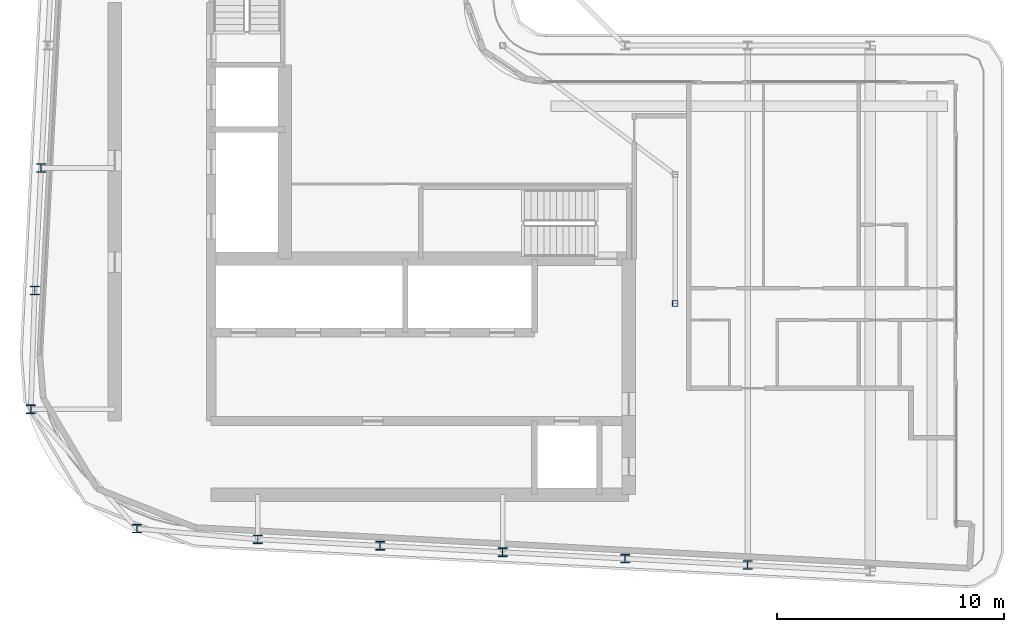
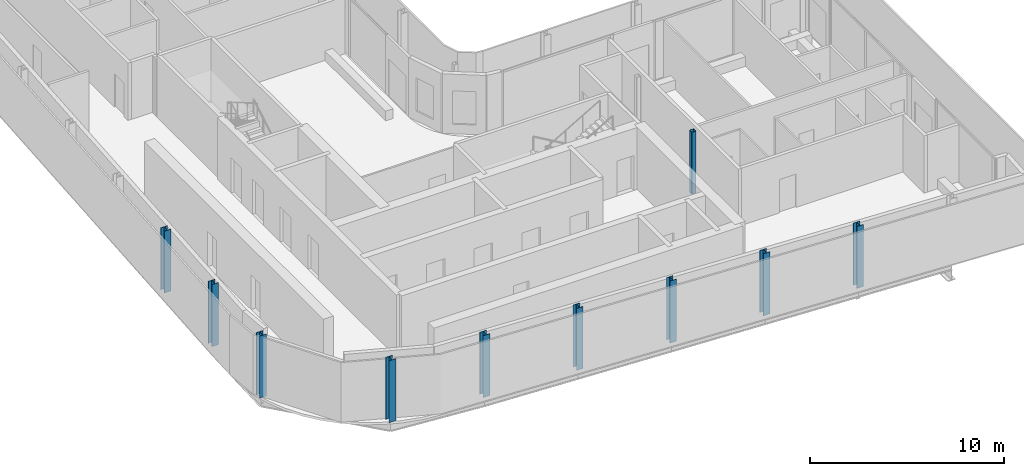
# One storey, part 1 of 21: 10 columns.
"""IFC4 building model written with IfcOpenShell, lengths in metres."""

import ifcopenshell
import ifcopenshell.guid

model = None  # the IFC model being written
_history = None  # IfcOwnerHistory: only IFC2X3 demands one
_inside = {}  # id of a spatial element -> (the spatial element, [elements in it])
_under = {}  # id of a project, library or spatial element -> (it, [spatial elements below it])
_declared = {}  # id of a project -> (the project, [libraries it declares])
_typed = {}  # id of a type object -> (the type object, [elements of that type])
_made_of = {}  # id of a material, layer set ... -> (it, [elements and type objects made of it])


def new_model(schema):
    """Start an empty IFC model of exactly this schema.

    Asked for "IFC4X3", IfcOpenShell would pick the latest addendum, in which some entities
    have other attributes; the version numbers below select the first issue.
    IFC2X3 requires an IfcOwnerHistory on every rooted entity: one is made here for all.
    """
    global model, _history
    if schema == "IFC4X3":
        model = ifcopenshell.file(schema_version=(4, 3, 0, 0))
    else:
        model = ifcopenshell.file(schema=schema)
    _inside.clear()
    _under.clear()
    _declared.clear()
    _typed.clear()
    _made_of.clear()
    _history = None
    if model.schema == "IFC2X3":
        org = make("IfcOrganization", Name="unknown")
        user = make(
            "IfcPersonAndOrganization",
            ThePerson=make("IfcPerson", FamilyName="unknown"),
            TheOrganization=org,
        )
        app = make(
            "IfcApplication",
            ApplicationDeveloper=org,
            Version="unknown",
            ApplicationFullName="unknown",
            ApplicationIdentifier="unknown",
        )
        _history = make(
            "IfcOwnerHistory",
            OwningUser=user,
            OwningApplication=app,
            ChangeAction="ADDED",
            CreationDate=0,
        )
    return model


def make(cls, **values):
    """One entity of the class cls with the attributes given. An attribute that is None is left unset."""
    return model.create_entity(
        cls, **{name: value for name, value in values.items() if value is not None}
    )


def rooted(cls, **values):
    """An entity with a GlobalId (a new one), such as an element, a storey or a relation."""
    return make(cls, GlobalId=ifcopenshell.guid.new(), OwnerHistory=_history, **values)


def si_unit(unit_type, name, prefix=None):
    """IfcSIUnit, for example si_unit("LENGTHUNIT", "METRE", prefix="MILLI")."""
    return make("IfcSIUnit", UnitType=unit_type, Prefix=prefix, Name=name)


def assignment(units):
    """IfcUnitAssignment: the units of a project."""
    return None if units is None else make("IfcUnitAssignment", Units=units)


def point(xyz):
    """IfcCartesianPoint."""
    return None if xyz is None else make("IfcCartesianPoint", Coordinates=xyz)


def direction(xyz):
    """IfcDirection."""
    return None if xyz is None else make("IfcDirection", DirectionRatios=xyz)


def frame(location, z_axis=None, x_axis=None):
    """IfcAxis2Placement3D, a coordinate frame: its origin and axes. An axis left out is left unset."""
    return make(
        "IfcAxis2Placement3D",
        Location=point(location),
        Axis=direction(z_axis),
        RefDirection=direction(x_axis),
    )


def frame_2d(location, x_axis=None):
    """IfcAxis2Placement2D, a coordinate frame in the plane: its origin and x axis."""
    return make(
        "IfcAxis2Placement2D", Location=point(location), RefDirection=direction(x_axis)
    )


def origin():
    """The frame at (0, 0, 0) with its axes left unset."""
    return frame((0.0, 0.0, 0.0))


def origin_2d():
    """The frame at (0, 0) in the plane with its x axis left unset."""
    return frame_2d((0.0, 0.0))


def place(relative_to, where):
    """IfcLocalPlacement: puts the frame where relative to a parent placement (None: the world)."""
    return make(
        "IfcLocalPlacement", PlacementRelTo=relative_to, RelativePlacement=where
    )


def context(
    kind, dimensions, precision=None, world=None, true_north=None, identifier=None
):
    """IfcGeometricRepresentationContext, for example the 3D "Model" context."""
    return make(
        "IfcGeometricRepresentationContext",
        ContextIdentifier=identifier,
        ContextType=kind,
        CoordinateSpaceDimension=dimensions,
        Precision=precision,
        WorldCoordinateSystem=world,
        TrueNorth=true_north,
    )


def subcontext(parent, identifier, kind, view, scale=None):
    """IfcGeometricRepresentationSubContext, for example "Body" below "Model"."""
    return make(
        "IfcGeometricRepresentationSubContext",
        ContextIdentifier=identifier,
        ContextType=kind,
        ParentContext=parent,
        TargetScale=scale,
        TargetView=view,
    )


def project(units=None, contexts=None):
    """IfcProject with its units and contexts."""
    return rooted(
        "IfcProject",
        Name="project",
        RepresentationContexts=contexts,
        UnitsInContext=assignment(units),
    )


def spatial(cls, under=None, at=None, **own):
    """A site, building, storey or space (cls), placed at a placement, below another one or the project."""
    s = rooted(cls, ObjectPlacement=at, **own)
    if under is not None:
        _under.setdefault(under.id(), (under, []))[1].append(s)
    return s


def profile(cls, at=None, kind="AREA", **sizes):
    """A parametric profile (cls). Its sizes go by their IFC names, for example OverallWidth=200.0."""
    return make(cls, ProfileType=kind, Position=at, **sizes)


def hollow_rectangle(**sizes):
    """IfcRectangleHollowProfileDef."""
    return profile("IfcRectangleHollowProfileDef", **sizes)


def i_section(**sizes):
    """IfcIShapeProfileDef."""
    return profile("IfcIShapeProfileDef", **sizes)


def extrude(swept, where, along, depth):
    """IfcExtrudedAreaSolid: the profile swept, set in the frame where, extruded along a direction by depth."""
    return make(
        "IfcExtrudedAreaSolid",
        SweptArea=swept,
        Position=where,
        ExtrudedDirection=direction(along),
        Depth=depth,
    )


def shape(context_of_items, identifier, shape_type, items):
    """IfcShapeRepresentation: the items that make up one representation, for example the "Body"."""
    return make(
        "IfcShapeRepresentation",
        ContextOfItems=context_of_items,
        RepresentationIdentifier=identifier,
        RepresentationType=shape_type,
        Items=items,
    )


def material(Name=None, Category=None):
    """IfcMaterial."""
    return make("IfcMaterial", Name=Name, Category=Category)


def material_profile(
    of_material, cross_section, Name=None, Category=None, Priority=None
):
    """IfcMaterialProfile: a cross section and its material."""
    return make(
        "IfcMaterialProfile",
        Name=Name,
        Material=of_material,
        Profile=cross_section,
        Priority=Priority,
        Category=Category,
    )


def profile_set(profiles, Name=None, composite=None):
    """IfcMaterialProfileSet."""
    return make(
        "IfcMaterialProfileSet",
        Name=Name,
        MaterialProfiles=profiles,
        CompositeProfile=composite,
    )


def made_of(thing, what):
    """Note that an element or type object is made of a material, layer set ...; save() writes the relation."""
    if what is not None:
        _made_of.setdefault(what.id(), (what, []))[1].append(thing)
    return thing


def type_object(cls, material=None, **own):
    """A type object (cls), such as IfcWallType, which elements share."""
    return made_of(rooted(cls, **own), material)


def element(
    cls,
    number,
    at=None,
    inside=None,
    cuts=None,
    type_object=None,
    material=None,
    context=None,
    identifier="Body",
    shape_type=None,
    held_by="IfcProductDefinitionShape",
    body=None,
    shapes=None,
    **own,
):
    """One element of the class cls, such as IfcWall. Its Tag is "e" and its number.

    at: its placement. inside: the storey or other place that contains it. cuts: it is an
    opening in that element (IfcRelVoidsElement). A single representation is given by context,
    identifier, shape_type and body (its items); several are given by shapes. held_by: the class
    of the entity that holds the representations. save() writes the other relations.
    """
    e = rooted(cls, Tag="e%d" % number, ObjectPlacement=at, **own)
    if body is not None:
        shapes = [shape(context, identifier, shape_type, body)]
    if shapes is not None:
        e.Representation = make(held_by, Representations=shapes)
    if inside is not None:
        _inside.setdefault(inside.id(), (inside, []))[1].append(e)
    if cuts is not None:
        rooted(
            "IfcRelVoidsElement", RelatingBuildingElement=cuts, RelatedOpeningElement=e
        )
    if type_object is not None:
        _typed.setdefault(type_object.id(), (type_object, []))[1].append(e)
    return made_of(e, material)


def aggregate(whole, parts):
    """IfcRelAggregates: a whole, such as a stair, and the parts it consists of."""
    return rooted("IfcRelAggregates", RelatingObject=whole, RelatedObjects=parts)


def save(model, path):
    """Write the relations noted so far, then the file.

    IfcRelAggregates (storeys below a building ...), IfcRelContainedInSpatialStructure (elements
    in a storey), IfcRelDefinesByType, IfcRelAssociatesMaterial and IfcRelDeclares: one each for
    every whole, place, type object, material and project.
    """
    for whole, parts in _under.values():
        aggregate(whole, parts)
    for where, things in _inside.values():
        rooted(
            "IfcRelContainedInSpatialStructure",
            RelatedElements=things,
            RelatingStructure=where,
        )
    for kind, things in _typed.values():
        rooted("IfcRelDefinesByType", RelatedObjects=things, RelatingType=kind)
    for what, things in _made_of.values():
        rooted("IfcRelAssociatesMaterial", RelatedObjects=things, RelatingMaterial=what)
    for by, libraries in _declared.values():
        rooted("IfcRelDeclares", RelatingContext=by, RelatedDefinitions=libraries)
    model.write(path)


model = new_model("IFC4")

# Units and contexts
model_context = context("Model", 3, precision=1e-05, world=origin(), true_north=direction((0.0, 1.0)))
body_context = subcontext(model_context, "Body", "Model", "MODEL_VIEW")
ifc_project = project(units=[si_unit("LENGTHUNIT", "METRE"), si_unit("AREAUNIT", "SQUARE_METRE"), si_unit("VOLUMEUNIT", "CUBIC_METRE"), si_unit("PLANEANGLEUNIT", "RADIAN"), si_unit("MASSUNIT", "GRAM", prefix="KILO")], contexts=[model_context])

# Site, building, storey
site_placement = place(None, origin())
site = spatial("IfcSite", under=ifc_project, at=site_placement, CompositionType="ELEMENT")
building_placement = place(site_placement, origin())
building = spatial("IfcBuilding", under=site, at=building_placement, Name="Kheshtan School and Residences Tower", CompositionType="ELEMENT")
storey_placement = place(building_placement, frame((0.0, 0.0, 302.0)))
storey = spatial("IfcBuildingStorey", under=building, at=storey_placement, Name="L71", CompositionType="ELEMENT", Elevation=302.0)

# Columns
ifc_material_1 = material(Name="Steel ASTM A992 Grade 50", Category="steel")
ifc_material_profile_1 = material_profile(ifc_material_1, i_section(OverallWidth=0.39501953125, OverallDepth=0.3798828125, WebThickness=0.018798828125, FlangeThickness=0.0302734375, FilletRadius=0.011474609375, at=origin_2d()), Name="W360x237")
ifc_profile_set_1 = profile_set([ifc_material_profile_1], Name="Steel ASTM A992 Grade 50")
column_type_1 = type_object("IfcColumnType", Name="Column C5 W360x237 ASTM A992 Grade 50", PredefinedType="COLUMN", material=ifc_profile_set_1)
for number, where, z_axis, x_axis, name in (
    (1, (58.39990234375, 22.695068359375, 0.0), (0.0, 0.0, 1.0), (1.0, 0.0, 0.0), "Column C018"),
    (2, (53.0, 22.97998046875, 0.0), (0.0, 0.0, 1.0), (1.0, 0.0, 0.0), "Column C019"),
    (3, (47.60009765625, 23.263916015625, 0.0), (0.0, 0.0, 1.0), (1.0, 0.0, 0.0), "Column C020"),
    (4, (42.199951171875, 23.548095703125, 0.0), (0.0, 0.0, 1.0), (1.0, 0.0, 0.0), "Column C021"),
    (5, (36.800048828125, 23.83203125, 0.0), (0.0, 0.0, 1.0), (1.0, 0.0, 0.0), "Column C022"),
    (6, (31.47412109375, 24.302001953125, 0.0), (0.0, 0.0, 1.0), (1.0, 0.0, 0.0), "Column C031"),
    (7, (26.797119140625, 29.56591796875, 0.0), (0.0, 0.0, 1.0), (1.0, 0.0, 0.0), "Column C044"),
    (8, (26.968994140625, 34.800048828125, 0.0), (0.0, 0.0, 1.0), (1.0, 0.0, 0.0), "Column C052"),
    (9, (27.2529296875, 40.199951171875, 0.0), (0.0, 0.0, 1.0), (1.0, 0.0, 0.0), "Column C056"),
):
    element("IfcColumn", number, at=place(storey_placement, frame(where, z_axis=z_axis, x_axis=x_axis)), inside=storey, type_object=column_type_1, Name=name, PredefinedType="COLUMN", context=body_context, shape_type="SweptSolid", body=[
        extrude(i_section(OverallWidth=0.39501953125, OverallDepth=0.3798828125, WebThickness=0.018798828125, FlangeThickness=0.0302734375, FilletRadius=0.011474609375, at=origin_2d()), origin(), (0.0, 0.0, 1.0), 3.89990234375),
    ])
ifc_material_2 = material(Name="Steel ASTM A500 Grade C", Category="steel")
ifc_material_profile_2 = material_profile(ifc_material_2, hollow_rectangle(XDim=0.25390625, YDim=0.25390625, WallThickness=0.0126953125, InnerFilletRadius=0.0126953125, OuterFilletRadius=0.025390625, at=origin_2d()), Name="HSS 254x254x12.7")
ifc_profile_set_2 = profile_set([ifc_material_profile_2], Name="Steel ASTM A500 Grade C")
column_type_2 = type_object("IfcColumnType", Name="Column IC3 HSS 254x254x12.7 ASTM A500 Grade C", PredefinedType="COLUMN", material=ifc_profile_set_2)
column_placement = place(storey_placement, frame((55.199951171875, 34.23193359375, 0.0), z_axis=(0.0, 0.0, 1.0), x_axis=(1.0, 0.0, 0.0)))
element("IfcColumn", 10, at=column_placement, inside=storey, type_object=column_type_2, Name="Column C051", PredefinedType="COLUMN", context=body_context, shape_type="SweptSolid", body=[
    extrude(hollow_rectangle(XDim=0.25390625, YDim=0.25390625, WallThickness=0.0126953125, InnerFilletRadius=0.0126953125, OuterFilletRadius=0.025390625, at=origin_2d()), origin(), (0.0, 0.0, 1.0), 3.89990234375),
])

save(model, "model.ifc")
